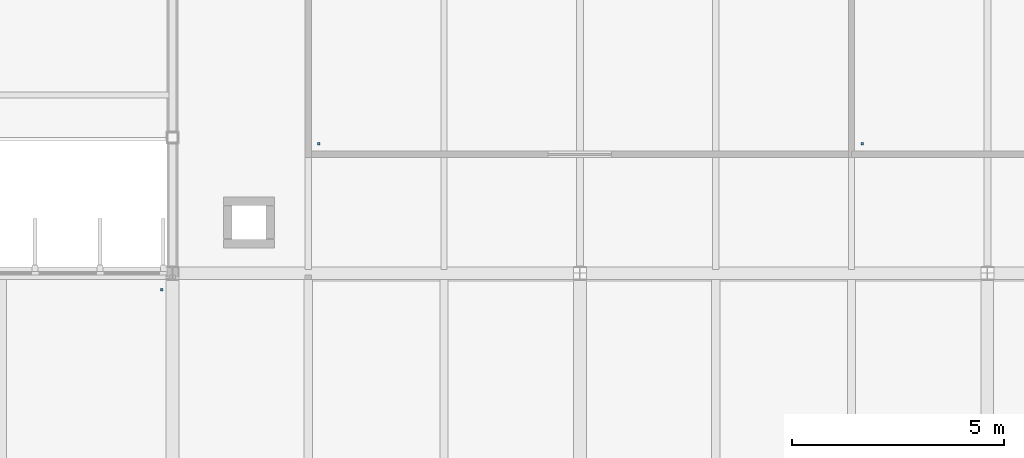
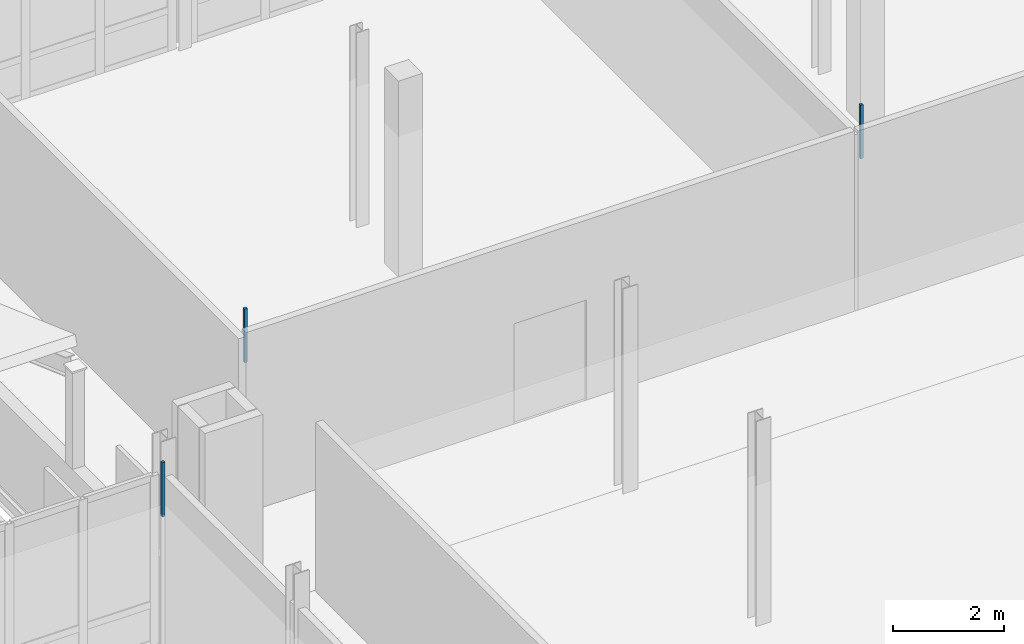
# One storey, part 78 of 107: 3 discrete accessories.
"""IFC4 building model written with IfcOpenShell, lengths in metres."""

from ifc_helpers import new_model, si_unit, direction, frame, origin, place, context, subcontext, project, spatial, polyline, outline, extrude, material, type_object, element, save


model = new_model("IFC4")

# Units and contexts
model_context = context("Model", 3, precision=1e-05, world=origin(), true_north=direction((0.0, 1.0)))
body_context = subcontext(model_context, "Body", "Model", "MODEL_VIEW")
ifc_project = project(units=[si_unit("LENGTHUNIT", "METRE"), si_unit("AREAUNIT", "SQUARE_METRE"), si_unit("VOLUMEUNIT", "CUBIC_METRE"), si_unit("PLANEANGLEUNIT", "RADIAN"), si_unit("MASSUNIT", "GRAM", prefix="KILO")], contexts=[model_context])

# Site, building, storey
site_placement = place(None, origin())
site = spatial("IfcSite", under=ifc_project, at=site_placement, CompositionType="ELEMENT")
building_placement = place(site_placement, origin())
building = spatial("IfcBuilding", under=site, at=building_placement, Name="Dunescarp Central Library", CompositionType="ELEMENT")
storey_placement = place(building_placement, frame((0.0, 0.0, 5.10009765625)))
storey = spatial("IfcBuildingStorey", under=building, at=storey_placement, Name="L01", CompositionType="ELEMENT", Elevation=5.10009765625)

# Discrete accessories
ifc_material = material(Name="Stainless steel Grade 316L", Category="steel")
discrete_accessory_type = type_object("IfcDiscreteAccessoryType", Name="ARC-ACC-BRK", PredefinedType="BRACKET", material=ifc_material)
discrete_accessory_1_placement = place(storey_placement, frame((0.0, 0.0, 3.059814453125)))
element("IfcDiscreteAccessory", 1, at=discrete_accessory_1_placement, inside=storey, type_object=discrete_accessory_type, Name="L01 ceiling hanger CLG-L01-097-H2", PredefinedType="BRACKET", context=body_context, shape_type="SweptSolid", body=[
    extrude(outline(polyline([(97.320068359375, 33.179931640625), (97.3798828125, 33.179931640625), (97.3798828125, 33.239990234375), (97.320068359375, 33.239990234375), (97.320068359375, 33.179931640625)])), origin(), (0.0, 0.0, 1.0), 1.190185546875),
])
discrete_accessory_2_placement = place(storey_placement, frame((0.0, 0.0, 3.059814453125)))
element("IfcDiscreteAccessory", 2, at=discrete_accessory_2_placement, inside=storey, type_object=discrete_accessory_type, Name="L01 ceiling hanger CLG-L01-117-H1", PredefinedType="BRACKET", context=body_context, shape_type="SweptSolid", body=[
    extrude(outline(polyline([(101.02001953125, 36.6201171875), (101.080078125, 36.6201171875), (101.080078125, 36.679931640625), (101.02001953125, 36.679931640625), (101.02001953125, 36.6201171875)])), origin(), (0.0, 0.0, 1.0), 1.18017578125),
])
discrete_accessory_3_placement = place(storey_placement, frame((0.0, 0.0, 3.059814453125)))
element("IfcDiscreteAccessory", 3, at=discrete_accessory_3_placement, inside=storey, type_object=discrete_accessory_type, Name="L01 ceiling hanger CLG-L01-118-H1", PredefinedType="BRACKET", context=body_context, shape_type="SweptSolid", body=[
    extrude(outline(polyline([(113.820068359375, 36.6201171875), (113.8798828125, 36.6201171875), (113.8798828125, 36.679931640625), (113.820068359375, 36.679931640625), (113.820068359375, 36.6201171875)])), origin(), (0.0, 0.0, 1.0), 1.18017578125),
])

save(model, "model.ifc")
